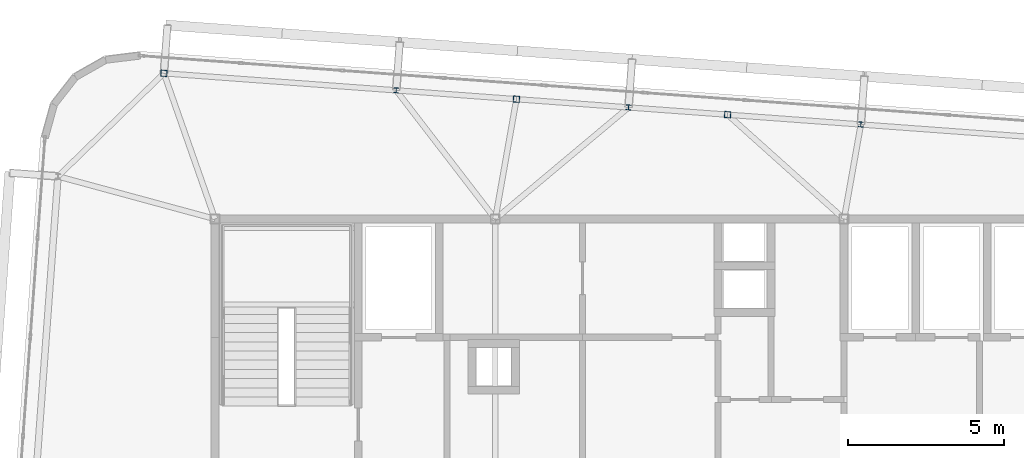
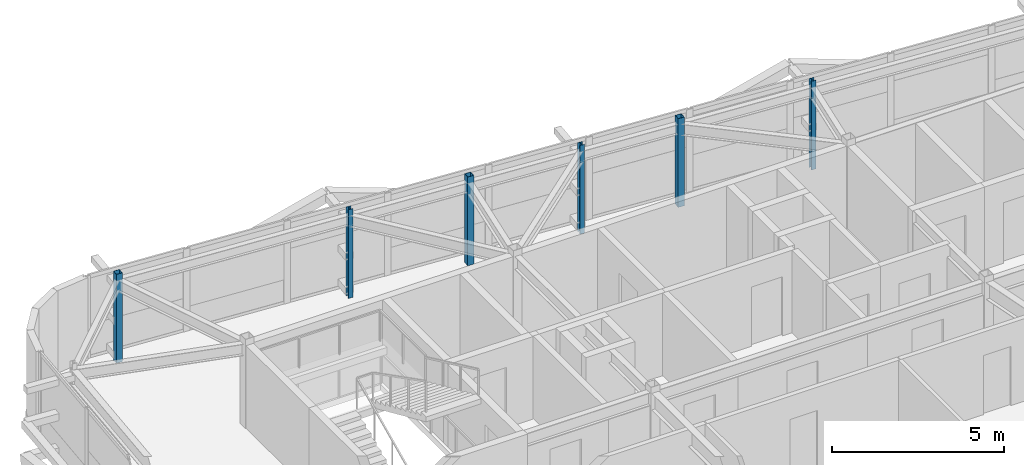
# One storey, part 7 of 42: 6 columns.
"""IFC4 building model written with IfcOpenShell, lengths in metres."""

from ifc_helpers import new_model, si_unit, direction, frame, origin, origin_2d, place, context, subcontext, project, spatial, hollow_rectangle, i_section, extrude, source, transform, mapped, material, material_profile, profile_set, type_object, element, save


model = new_model("IFC4")

# Units and contexts
model_context = context("Model", 3, precision=1e-05, world=origin(), true_north=direction((0.0, 1.0)))
body_context = subcontext(model_context, "Body", "Model", "MODEL_VIEW")
ifc_project = project(units=[si_unit("LENGTHUNIT", "METRE"), si_unit("AREAUNIT", "SQUARE_METRE"), si_unit("VOLUMEUNIT", "CUBIC_METRE"), si_unit("PLANEANGLEUNIT", "RADIAN"), si_unit("MASSUNIT", "GRAM", prefix="KILO")], contexts=[model_context])

# Site, building, storey
site_placement = place(None, origin())
site = spatial("IfcSite", under=ifc_project, at=site_placement, CompositionType="ELEMENT")
building_placement = place(site_placement, origin())
building = spatial("IfcBuilding", under=site, at=building_placement, Name="Taldren Reach Tower", CompositionType="ELEMENT")
storey_placement = place(building_placement, frame((0.0, 0.0, 217.699951171875)))
storey = spatial("IfcBuildingStorey", under=building, at=storey_placement, Name="L66", CompositionType="ELEMENT", Elevation=217.699951171875)

# Columns
ifc_material_1 = material(Name="Steel Gr 350 (C350L0)", Category="steel")
ifc_material_profile_1 = material_profile(ifc_material_1, hollow_rectangle(XDim=0.199951171875, YDim=0.199951171875, WallThickness=0.009033203125, at=origin_2d()), Name="200x200x9.0SHS")
ifc_profile_set_1 = profile_set([ifc_material_profile_1], Name="Steel Gr 350 (C350L0)")
column_type_1 = type_object("IfcColumnType", Name="COL-SHS200", PredefinedType="COLUMN", material=ifc_profile_set_1)
shared_shape_1 = source(origin(), body_context, "Body", "SweptSolid", [
    extrude(hollow_rectangle(XDim=0.199951171875, YDim=0.199951171875, WallThickness=0.009033203125, at=origin_2d()), origin(), (0.0, 0.0, 1.0), 3.150146484375),
])
for number, where, z_axis, x_axis, name in (
    (1, (17.35986328125, 36.678955078125, 0.0), (0.0, 0.0, 1.0), (0.997314477224, -0.073238197128, 0.0), "Block B5 perimeter column N1 L66"),
    (2, (28.67919921875, 35.84765625, 0.0), (0.0, 0.0, 1.0), (0.997314477224, -0.073238197128, 0.0), "Block B5 perimeter column PJN1 L66"),
    (3, (35.4609375, 35.349609375, 0.0), (0.0, 0.0, 1.0), (0.997314477224, -0.073238197128, 0.0), "Block B5 perimeter column PJN2 L66"),
):
    element("IfcColumn", number, at=place(storey_placement, frame(where, z_axis=z_axis, x_axis=x_axis)), inside=storey, type_object=column_type_1, Name=name, PredefinedType="COLUMN", context=body_context, shape_type="MappedRepresentation", body=[
        mapped(shared_shape_1, transform((0.0, 0.0, 0.0), scale=1.0)),
    ])
ifc_material_2 = material(Name="Steel Gr 350 (350PLUS)", Category="steel")
ifc_material_profile_2 = material_profile(ifc_material_2, i_section(OverallWidth=0.154052734375, OverallDepth=0.162109375, WebThickness=0.008056640625, FlangeThickness=0.011474609375, at=origin_2d()), Name="150UC37.2")
ifc_profile_set_2 = profile_set([ifc_material_profile_2], Name="Steel Gr 350 (350PLUS)")
column_type_2 = type_object("IfcColumnType", Name="COL-UC150", PredefinedType="COLUMN", material=ifc_profile_set_2)
shared_shape_2 = source(origin(), body_context, "Body", "SweptSolid", [
    extrude(i_section(OverallWidth=0.154052734375, OverallDepth=0.162109375, WebThickness=0.008056640625, FlangeThickness=0.011474609375, at=origin_2d()), origin(), (0.0, 0.0, 1.0), 3.150146484375),
])
for number, where, z_axis, x_axis, name in (
    (4, (24.819580078125, 36.131103515625, 0.0), (0.0, 0.0, 1.0), (0.997314477224, -0.073238197128, 0.0), "Block B5 perimeter column N2 L66"),
    (5, (32.279541015625, 35.583251953125, 0.0), (0.0, 0.0, 1.0), (0.997314477224, -0.073238197128, 0.0), "Block B5 perimeter column N3 L66"),
    (6, (39.739501953125, 35.035400390625, 0.0), (0.0, 0.0, 1.0), (0.997314477224, -0.073238197128, 0.0), "Block B5 perimeter column N4 L66"),
):
    element("IfcColumn", number, at=place(storey_placement, frame(where, z_axis=z_axis, x_axis=x_axis)), inside=storey, type_object=column_type_2, Name=name, PredefinedType="COLUMN", context=body_context, shape_type="MappedRepresentation", body=[
        mapped(shared_shape_2, transform((0.0, 0.0, 0.0), scale=1.0)),
    ])

save(model, "model.ifc")
